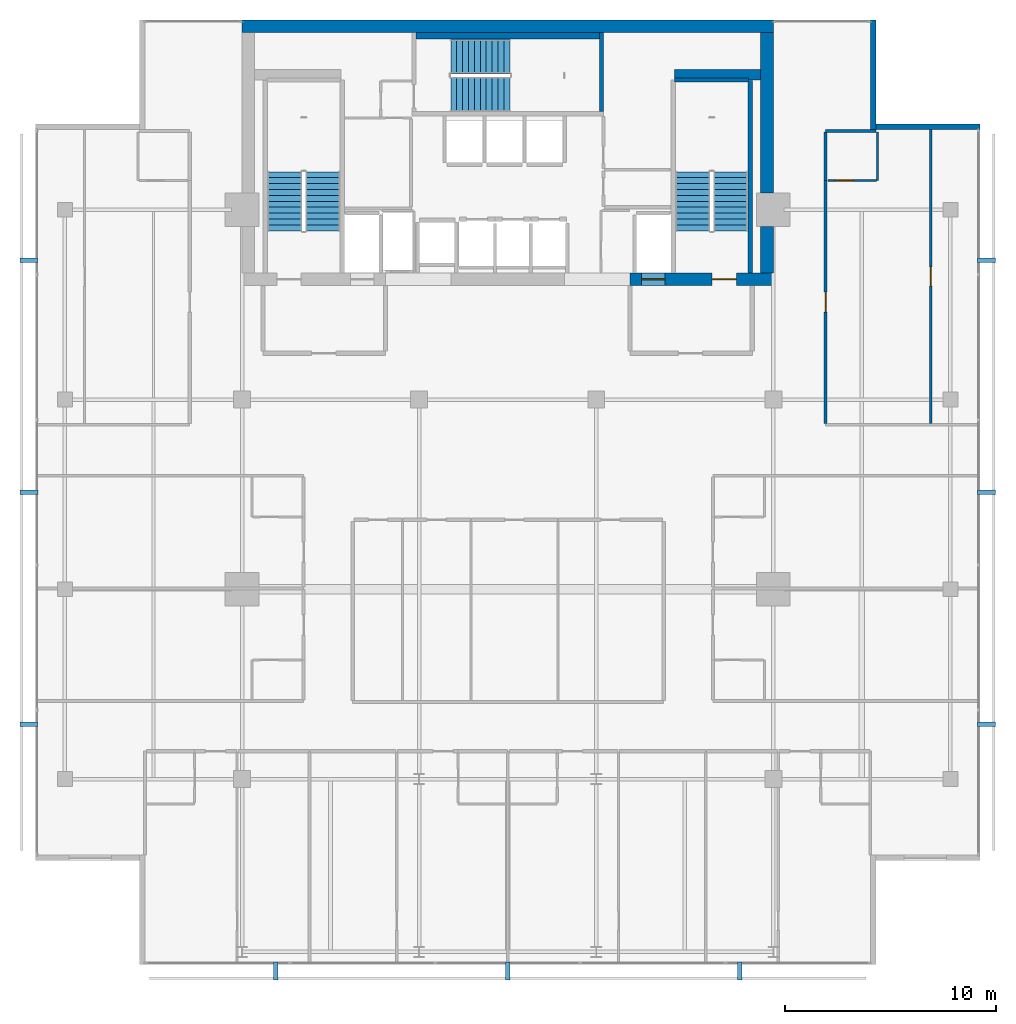
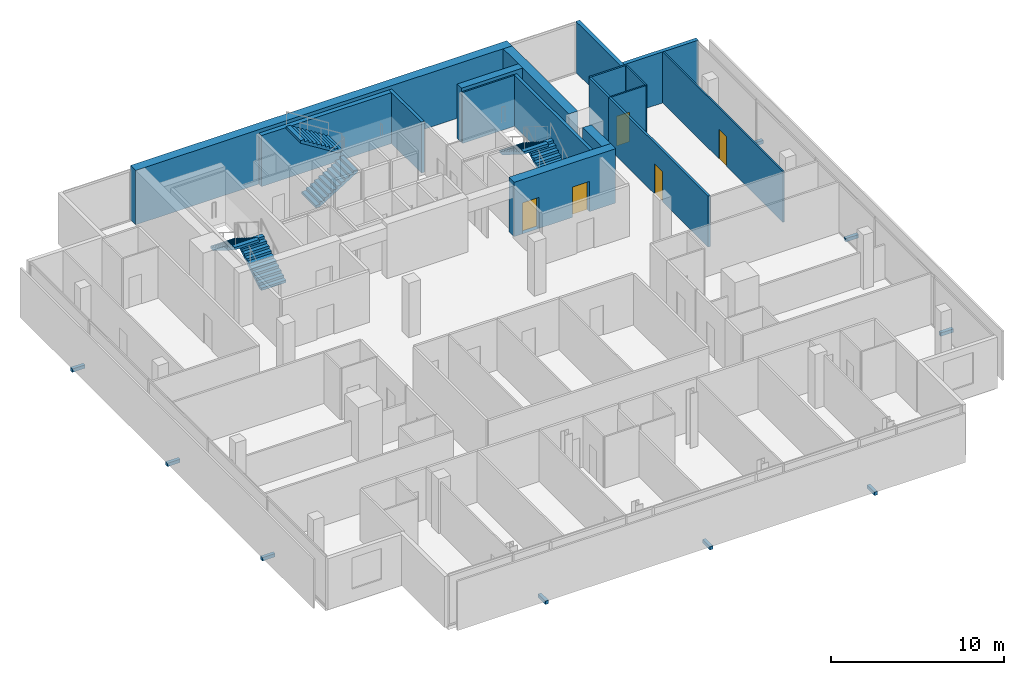
# One storey, part 23 of 25: 17 walls, 9 discrete accessories, 6 stair flights, 5 doors, 5 openings, 3 elements without a shape of their own.
"""IFC4 building model written with IfcOpenShell, lengths in metres."""

from ifc_helpers import new_model, si_unit, direction, frame, frame_2d, origin, origin_2d, place, context, subcontext, project, spatial, polyline, rectangle, outline, extrude, material, layer, layer_set, type_object, element, fill, aggregate, save


model = new_model("IFC4")

# Units and contexts
model_context = context("Model", 3, precision=1e-05, world=origin(), true_north=direction((0.0, 1.0)))
body_context = subcontext(model_context, "Body", "Model", "MODEL_VIEW")
ifc_project = project(units=[si_unit("LENGTHUNIT", "METRE"), si_unit("AREAUNIT", "SQUARE_METRE"), si_unit("VOLUMEUNIT", "CUBIC_METRE"), si_unit("PLANEANGLEUNIT", "RADIAN"), si_unit("MASSUNIT", "GRAM", prefix="KILO")], contexts=[model_context])

# Site, building, storey
site_placement = place(None, origin())
site = spatial("IfcSite", under=ifc_project, at=site_placement, CompositionType="ELEMENT")
building_placement = place(site_placement, origin())
building = spatial("IfcBuilding", under=site, at=building_placement, Name="Maruvema Waterfront Hotel and Observation Tower", CompositionType="ELEMENT")
storey_placement = place(building_placement, frame((0.0, 0.0, 308.699951171875)))
storey = spatial("IfcBuildingStorey", under=building, at=storey_placement, Name="L76", CompositionType="ELEMENT", Elevation=308.699951171875)

# Wall, opening, door
ifc_material_1 = material(Name="Twin-stud acoustic gypsum drywall", Category="gypsum")
ifc_layer_1 = layer(ifc_material_1, 0.14990234375, Name="Acoustic Corridor and Suite Demising Wall 150 mm")
ifc_layer_set_1 = layer_set([ifc_layer_1], Name="Twin-stud acoustic gypsum drywall")
wall_type_1 = type_object("IfcWallType", Name="Acoustic Corridor and Suite Demising Wall 150 mm", PredefinedType="PARTITIONING", material=ifc_layer_set_1)
wall_1_placement = place(storey_placement, frame((52.8798828125, 34.860107421875, 0.0), z_axis=(0.0, 0.0, 1.0), x_axis=(0.0, 1.0, 0.0)))
wall_1 = element("IfcWall", 1, at=wall_1_placement, inside=storey, type_object=wall_type_1, Name="L76 Room L76-NE1 Corridor Wall 091", PredefinedType="PARTITIONING", context=body_context, shape_type="SweptSolid", body=[
    extrude(rectangle(XDim=11.52734375, YDim=0.14990234375, at=frame_2d((5.763671875, 0.0))), origin(), (0.0, 0.0, 1.0), 3.610107421875),
])
opening_1_placement = place(wall_1_placement, frame((5.288818359375, 0.0, 0.0)))
opening_1 = element("IfcOpeningElement", 2, at=opening_1_placement, cuts=wall_1, Name="Opening DR-095", PredefinedType="OPENING", context=body_context, shape_type="SweptSolid", body=[
    extrude(rectangle(XDim=0.949951171875, YDim=2.14990234375, at=frame_2d((0.47509765625, 1.074951171875))), frame((0.0, 0.0849609375, 0.0), z_axis=(0.0, -1.0, 0.0), x_axis=(1.0, 0.0, 0.0)), (0.0, 0.0, 1.0), 0.169921875),
])
ifc_material_2 = material(Name="Acoustic solid-core hardwood timber leaf", Category="wood")
door_type_1 = type_object("IfcDoorType", Name="Guestroom Entrance Fire Door 950x2150 mm", OperationType="NOTDEFINED", PredefinedType="DOOR", material=ifc_material_2)
door_1_placement = place(opening_1_placement, frame((0.949951171875, 0.0, 0.0), z_axis=(0.0, 0.0, 1.0), x_axis=(-1.0, 0.0, 0.0)))
door_1 = element("IfcDoor", 3, at=door_1_placement, inside=storey, type_object=door_type_1, Name="L76 Room L76-NE1 Entrance Door", OperationType="SINGLE_SWING_RIGHT", OverallHeight=2.14990234375, OverallWidth=0.949951171875, PredefinedType="DOOR", context=body_context, shape_type="SweptSolid", body=[
    extrude(rectangle(XDim=0.949951171875, YDim=2.14990234375, at=frame_2d((0.47509765625, 1.074951171875))), frame((0.0, 0.02490234375, 0.0), z_axis=(0.0, -1.0, 0.0), x_axis=(1.0, 0.0, 0.0)), (0.0, 0.0, 1.0), 0.050048828125),
])
fill(opening_1, door_1)

# Walls
wall_2_placement = place(storey_placement, frame((52.8798828125, 46.387451171875, 0.0), z_axis=(0.0, 0.0, 1.0), x_axis=(0.0, 1.0, 0.0)))
element("IfcWall", 4, at=wall_2_placement, inside=storey, type_object=wall_type_1, Name="L76 Bath L76-NE1 Wall 092", PredefinedType="PARTITIONING", context=body_context, shape_type="SweptSolid", body=[
    extrude(rectangle(XDim=2.2900390625, YDim=0.14990234375, at=frame_2d((1.14501953125, 0.0))), origin(), (0.0, 0.0, 1.0), 3.610107421875),
])
ifc_material_3 = material(Name="Precast concrete C45/55", Category="concrete")
ifc_layer_2 = layer(ifc_material_3, 0.300048828125, Name="Core Shaft Furring Wall 300 mm")
ifc_layer_set_2 = layer_set([ifc_layer_2], Name="Precast concrete C45/55")
wall_type_2 = type_object("IfcWallType", Name="Core Shaft Furring Wall 300 mm", PredefinedType="SOLIDWALL", material=ifc_layer_set_2)
wall_3_placement = place(storey_placement, frame((33.449951171875, 53.25, 0.0), z_axis=(0.0, 0.0, 1.0), x_axis=(1.0, 0.0, 0.0)))
element("IfcWall", 5, at=wall_3_placement, inside=storey, type_object=wall_type_2, Name="L76 Stairwell ST-02 North Furring Wall", PredefinedType="SOLIDWALL", context=body_context, shape_type="SweptSolid", body=[
    extrude(rectangle(XDim=8.699951171875, YDim=0.300048828125, at=frame_2d((4.35009765625, 0.0))), origin(), (0.0, 0.0, 1.0), 3.610107421875),
])
ifc_material_4 = material(Name="Precast concrete C45/55", Category="concrete")
ifc_layer_3 = layer(ifc_material_4, 0.199951171875, Name="Core Shaft and Stairwell Enclosure Wall 200 mm")
ifc_layer_set_3 = layer_set([ifc_layer_3], Name="Precast concrete C45/55")
wall_type_3 = type_object("IfcWallType", Name="Core Shaft and Stairwell Enclosure Wall 200 mm", PredefinedType="SOLIDWALL", material=ifc_layer_set_3)
wall_4_placement = place(storey_placement, frame((42.25, 49.64990234375, 0.0), z_axis=(0.0, 0.0, 1.0), x_axis=(0.0, 1.0, 0.0)))
element("IfcWall", 6, at=wall_4_placement, inside=storey, type_object=wall_type_3, Name="L76 Stairwell ST-02 Shaft Wall", PredefinedType="SOLIDWALL", context=body_context, shape_type="SweptSolid", body=[
    extrude(rectangle(XDim=3.75, YDim=0.199951171875, at=frame_2d((1.875, 0.0))), origin(), (0.0, 0.0, 1.0), 3.610107421875),
])
wall_5_placement = place(storey_placement, frame((49.300048828125, 42.0, 0.0), z_axis=(0.0, 0.0, 1.0), x_axis=(0.0, 1.0, 0.0)))
element("IfcWall", 7, at=wall_5_placement, inside=storey, type_object=wall_type_3, Name="L76 Stairwell ST-03 Shaft Lining Wall", PredefinedType="SOLIDWALL", context=body_context, shape_type="SweptSolid", body=[
    extrude(rectangle(XDim=9.1201171875, YDim=0.199951171875, at=frame_2d((4.56005859375, 0.0))), origin(), (0.0, 0.0, 1.0), 3.610107421875),
])
wall_6_placement = place(storey_placement, frame((45.719970703125, 51.14990234375, 0.0), z_axis=(0.0, 0.0, 1.0), x_axis=(1.0, 0.0, 0.0)))
element("IfcWall", 8, at=wall_6_placement, inside=storey, type_object=wall_type_3, Name="L76 Stairwell ST-03 Shaft Lining Wall", PredefinedType="SOLIDWALL", context=body_context, shape_type="SweptSolid", body=[
    extrude(rectangle(XDim=3.5, YDim=0.199951171875, at=frame_2d((1.75, 0.0))), origin(), (0.0, 0.0, 1.0), 3.610107421875),
])
ifc_material_5 = material(Name="Concrete C70/85", Category="concrete")
ifc_layer_4 = layer(ifc_material_5, 0.5, Name="Core Shear Wall 500 mm")
ifc_layer_set_4 = layer_set([ifc_layer_4], Name="Concrete C70/85")
wall_type_4 = type_object("IfcWallType", Name="Core Shear Wall 500 mm", PredefinedType="SHEAR", material=ifc_layer_set_4)
wall_7_placement = place(storey_placement, frame((45.699951171875, 51.39990234375, 0.0), z_axis=(0.0, 0.0, 1.0), x_axis=(1.0, 0.0, 0.0)))
element("IfcWall", 9, at=wall_7_placement, inside=storey, type_object=wall_type_4, Name="L76 Internal Core Shear Wall NE 500 mm", PredefinedType="SHEAR", context=body_context, shape_type="SweptSolid", body=[
    extrude(rectangle(XDim=4.10009765625, YDim=0.5, at=frame_2d((2.050048828125, 0.0))), origin(), (0.0, 0.0, 1.0), 3.85009765625),
])
ifc_material_6 = material(Name="Concrete C60/75", Category="concrete")
ifc_layer_5 = layer(ifc_material_6, 0.60009765625, Name="Core Shear Wall 600 mm")
ifc_layer_set_5 = layer_set([ifc_layer_5], Name="Concrete C60/75")
wall_type_5 = type_object("IfcWallType", Name="Core Shear Wall 600 mm", PredefinedType="SHEAR", material=ifc_layer_set_5)
wall_8_placement = place(storey_placement, frame((25.199951171875, 53.699951171875, 0.0), z_axis=(0.0, 0.0, 1.0), x_axis=(1.0, 0.0, 0.0)))
element("IfcWall", 10, at=wall_8_placement, inside=storey, type_object=wall_type_5, Name="L76 North Core Shear Wall", PredefinedType="SHEAR", context=body_context, shape_type="SweptSolid", body=[
    extrude(rectangle(XDim=25.199951171875, YDim=0.60009765625, at=frame_2d((12.60009765625, 0.0))), origin(), (0.0, 0.0, 1.0), 3.85009765625),
])

# Wall, openings, doors
wall_9_placement = place(storey_placement, frame((43.60009765625, 41.699951171875, 0.0), z_axis=(0.0, 0.0, 1.0), x_axis=(1.0, 0.0, 0.0)))
wall_9 = element("IfcWall", 11, at=wall_9_placement, inside=storey, type_object=wall_type_5, Name="L76 South-East Core Shear Wall", PredefinedType="SHEAR", context=body_context, shape_type="SweptSolid", body=[
    extrude(rectangle(XDim=6.7998046875, YDim=0.60009765625, at=frame_2d((3.39990234375, 0.0))), origin(), (0.0, 0.0, 1.0), 3.85009765625),
])
opening_2_placement = place(wall_9_placement, frame((3.89990234375, 0.0, 0.0)))
opening_2 = element("IfcOpeningElement", 12, at=opening_2_placement, cuts=wall_9, Name="Opening SD-01", PredefinedType="OPENING", context=body_context, shape_type="SweptSolid", body=[
    extrude(rectangle(XDim=1.14990234375, YDim=2.14990234375, at=frame_2d((0.574951171875, 1.074951171875))), frame((0.0, 0.31005859375, 0.0), z_axis=(0.0, -1.0, 0.0), x_axis=(1.0, 0.0, 0.0)), (0.0, 0.0, 1.0), 0.6201171875),
])
opening_3_placement = place(wall_9_placement, frame((0.550048828125, 0.0, 0.0)))
opening_3 = element("IfcOpeningElement", 13, at=opening_3_placement, cuts=wall_9, Name="Opening LD-03", PredefinedType="OPENING", context=body_context, shape_type="SweptSolid", body=[
    extrude(rectangle(XDim=1.10009765625, YDim=2.199951171875, at=frame_2d((0.550048828125, 1.10009765625))), frame((0.0, 0.31005859375, 0.0), z_axis=(0.0, -1.0, 0.0), x_axis=(1.0, 0.0, 0.0)), (0.0, 0.0, 1.0), 0.6201171875),
])
ifc_material_7 = material(Name="Fire-rated galvanised steel leaf", Category="steel")
door_type_2 = type_object("IfcDoorType", Name="Exit Stair Fire Door 1150x2150 mm", OperationType="NOTDEFINED", PredefinedType="DOOR", material=ifc_material_7)
door_2_placement = place(opening_2_placement, origin())
door_2 = element("IfcDoor", 14, at=door_2_placement, inside=storey, type_object=door_type_2, Name="L76 Exit Stair ST-03 Fire Door", OperationType="SINGLE_SWING_RIGHT", OverallHeight=2.14990234375, OverallWidth=1.14990234375, PredefinedType="DOOR", context=body_context, shape_type="SweptSolid", body=[
    extrude(rectangle(XDim=1.14990234375, YDim=2.14990234375, at=frame_2d((0.574951171875, 1.074951171875))), frame((0.0, 0.02490234375, 0.0), z_axis=(0.0, -1.0, 0.0), x_axis=(1.0, 0.0, 0.0)), (0.0, 0.0, 1.0), 0.050048828125),
])
fill(opening_2, door_2)
ifc_material_8 = material(Name="Brushed stainless steel Grade 316", Category="steel")
door_type_3 = type_object("IfcDoorType", Name="Firefighting Lift Sliding Landing Door 1100x2200 mm", OperationType="SLIDING_TO_LEFT", PredefinedType="DOOR", material=ifc_material_8)
door_3_placement = place(opening_3_placement, frame((1.10009765625, 0.0, 0.0), z_axis=(0.0, 0.0, 1.0), x_axis=(-1.0, 0.0, 0.0)))
door_3 = element("IfcDoor", 15, at=door_3_placement, inside=storey, type_object=door_type_3, Name="L76 Firefighting Lift FL-02 Landing Door", OperationType="SLIDING_TO_LEFT", OverallHeight=2.199951171875, OverallWidth=1.10009765625, PredefinedType="DOOR", context=body_context, shape_type="SweptSolid", body=[
    extrude(rectangle(XDim=1.10009765625, YDim=2.199951171875, at=frame_2d((0.550048828125, 1.10009765625))), frame((0.0, 0.02490234375, 0.0), z_axis=(0.0, -1.0, 0.0), x_axis=(1.0, 0.0, 0.0)), (0.0, 0.0, 1.0), 0.050048828125),
])
fill(opening_3, door_3)

# Walls
wall_10_placement = place(storey_placement, frame((50.10009765625, 42.0, 0.0), z_axis=(0.0, 0.0, 1.0), x_axis=(0.0, 1.0, 0.0)))
element("IfcWall", 16, at=wall_10_placement, inside=storey, type_object=wall_type_5, Name="L76 East-South Core Shear Wall", PredefinedType="SHEAR", context=body_context, shape_type="SweptSolid", body=[
    extrude(rectangle(XDim=2.199951171875, YDim=0.60009765625, at=frame_2d((1.10009765625, 0.0))), origin(), (0.0, 0.0, 1.0), 3.85009765625),
])
wall_11_placement = place(storey_placement, frame((50.10009765625, 45.800048828125, 0.0), z_axis=(0.0, 0.0, 1.0), x_axis=(0.0, 1.0, 0.0)))
element("IfcWall", 17, at=wall_11_placement, inside=storey, type_object=wall_type_5, Name="L76 East-North Core Shear Wall", PredefinedType="SHEAR", context=body_context, shape_type="SweptSolid", body=[
    extrude(rectangle(XDim=7.599853515625, YDim=0.60009765625, at=frame_2d((3.7998046875, 0.0))), origin(), (0.0, 0.0, 1.0), 3.85009765625),
])
ifc_material_9 = material(Name="Moisture-resistant cement-board drywall", Category="gypsum")
ifc_layer_6 = layer(ifc_material_9, 0.10009765625, Name="En-Suite Moisture-Resistant Partition 100 mm")
ifc_layer_set_6 = layer_set([ifc_layer_6], Name="Moisture-resistant cement-board drywall")
wall_type_6 = type_object("IfcWallType", Name="En-Suite Moisture-Resistant Partition 100 mm", PredefinedType="PARTITIONING", material=ifc_layer_set_6)
wall_12_placement = place(storey_placement, frame((55.330078125, 46.387451171875, 0.0), z_axis=(0.0, 0.0, 1.0), x_axis=(0.0, 1.0, 0.0)))
element("IfcWall", 18, at=wall_12_placement, inside=storey, type_object=wall_type_6, Name="L76 En-Suite L76-NE1 E 093", PredefinedType="PARTITIONING", context=body_context, shape_type="SweptSolid", body=[
    extrude(rectangle(XDim=2.2900390625, YDim=0.10009765625, at=frame_2d((1.14501953125, 0.0))), origin(), (0.0, 0.0, 1.0), 3.610107421875),
])

# Wall, opening, door
wall_13_placement = place(storey_placement, frame((52.97998046875, 46.387451171875, 0.0), z_axis=(0.0, 0.0, 1.0), x_axis=(1.0, 0.0, 0.0)))
wall_13 = element("IfcWall", 19, at=wall_13_placement, inside=storey, type_object=wall_type_6, Name="L76 En-Suite L76-NE1 S 094", PredefinedType="PARTITIONING", context=body_context, shape_type="SweptSolid", body=[
    extrude(rectangle(XDim=2.300048828125, YDim=0.10009765625, at=frame_2d((1.14990234375, 0.0))), origin(), (0.0, 0.0, 1.0), 3.610107421875),
])
opening_4_placement = place(wall_13_placement, frame((0.35009765625, 0.0, 0.0)))
opening_4 = element("IfcOpeningElement", 20, at=opening_4_placement, cuts=wall_13, Name="Opening DR-085", PredefinedType="OPENING", context=body_context, shape_type="SweptSolid", body=[
    extrude(rectangle(XDim=0.85009765625, YDim=2.10009765625, at=frame_2d((0.425048828125, 1.050048828125))), frame((0.0, 0.06005859375, 0.0), z_axis=(0.0, -1.0, 0.0), x_axis=(1.0, 0.0, 0.0)), (0.0, 0.0, 1.0), 0.1201171875),
])
ifc_material_10 = material(Name="Moisture-resistant solid timber leaf", Category="wood")
door_type_4 = type_object("IfcDoorType", Name="En-Suite Bathroom Door 850x2100 mm", OperationType="NOTDEFINED", PredefinedType="DOOR", material=ifc_material_10)
door_4_placement = place(opening_4_placement, frame((0.85009765625, 0.0, 0.0), z_axis=(0.0, 0.0, 1.0), x_axis=(-1.0, 0.0, 0.0)))
door_4 = element("IfcDoor", 21, at=door_4_placement, inside=storey, type_object=door_type_4, Name="L76 En-Suite L76-NE1 Door", OperationType="SINGLE_SWING_LEFT", OverallHeight=2.10009765625, OverallWidth=0.85009765625, PredefinedType="DOOR", context=body_context, shape_type="SweptSolid", body=[
    extrude(rectangle(XDim=0.85009765625, YDim=2.10009765625, at=frame_2d((0.425048828125, 1.050048828125))), frame((0.0, 0.02490234375, 0.0), z_axis=(0.0, -1.0, 0.0), x_axis=(1.0, 0.0, 0.0)), (0.0, 0.0, 1.0), 0.050048828125),
])
fill(opening_4, door_4)

wall_14_placement = place(storey_placement, frame((57.8623046875, 34.860107421875, 0.0), z_axis=(0.0, 0.0, 1.0), x_axis=(0.0, 1.0, 0.0)))
wall_14 = element("IfcWall", 22, at=wall_14_placement, inside=storey, type_object=wall_type_6, Name="L76 Suite L76-NE1 Split 095", PredefinedType="PARTITIONING", context=body_context, shape_type="SweptSolid", body=[
    extrude(rectangle(XDim=13.9375, YDim=0.10009765625, at=frame_2d((6.96875, 0.0))), origin(), (0.0, 0.0, 1.0), 3.610107421875),
])
opening_5_placement = place(wall_14_placement, frame((6.518798828125, 0.0, 0.0)))
opening_5 = element("IfcOpeningElement", 23, at=opening_5_placement, cuts=wall_14, Name="Opening DR-090", PredefinedType="OPENING", context=body_context, shape_type="SweptSolid", body=[
    extrude(rectangle(XDim=0.89990234375, YDim=2.10009765625, at=frame_2d((0.449951171875, 1.050048828125))), frame((0.0, 0.06005859375, 0.0), z_axis=(0.0, -1.0, 0.0), x_axis=(1.0, 0.0, 0.0)), (0.0, 0.0, 1.0), 0.1201171875),
])
ifc_material_11 = material(Name="Solid-core lacquered timber leaf", Category="wood")
door_type_5 = type_object("IfcDoorType", Name="Accessible Toilet and Room Door 900x2100 mm", OperationType="NOTDEFINED", PredefinedType="DOOR", material=ifc_material_11)
door_5_placement = place(opening_5_placement, frame((0.89990234375, 0.0, 0.0), z_axis=(0.0, 0.0, 1.0), x_axis=(-1.0, 0.0, 0.0)))
door_5 = element("IfcDoor", 24, at=door_5_placement, inside=storey, type_object=door_type_5, Name="L76 Suite L76-NE1 Bedroom Door", OperationType="SINGLE_SWING_LEFT", OverallHeight=2.10009765625, OverallWidth=0.89990234375, PredefinedType="DOOR", context=body_context, shape_type="SweptSolid", body=[
    extrude(rectangle(XDim=0.89990234375, YDim=2.10009765625, at=frame_2d((0.449951171875, 1.050048828125))), frame((0.0, 0.02490234375, 0.0), z_axis=(0.0, -1.0, 0.0), x_axis=(1.0, 0.0, 0.0)), (0.0, 0.0, 1.0), 0.050048828125),
])
fill(opening_5, door_5)

# Walls
ifc_material_12 = material(Name="Precast concrete C45/55 with honed Pernambuco granite facing", Category="masonry")
ifc_layer_7 = layer(ifc_material_12, 0.260009765625, Name="Exterior Granite Clad Spandrel and Pier Wall 260 mm")
ifc_layer_set_7 = layer_set([ifc_layer_7], Name="Precast concrete C45/55 with honed Pernambuco granite facing")
wall_type_7 = type_object("IfcWallType", Name="Exterior Granite Clad Spandrel and Pier Wall 260 mm", PredefinedType="SOLIDWALL", material=ifc_layer_set_7)
for number, where, z_axis, x_axis, name in (
    (25, (55.1298828125, 54.0, 0.0), (0.0, 0.0, 1.0), (0.0, -1.0, 0.0), "L76 Corner Notch Granite Pier Wall NE1"),
    (26, (55.0, 48.929931640625, 0.0), (0.0, 0.0, 1.0), (1.0, 0.0, 0.0), "L76 Corner Notch Granite Pier Wall NE2"),
):
    element("IfcWall", number, at=place(storey_placement, frame(where, z_axis=z_axis, x_axis=x_axis)), inside=storey, type_object=wall_type_7, Name=name, PredefinedType="SOLIDWALL", context=body_context, shape_type="SweptSolid", body=[
        extrude(rectangle(XDim=5.199951171875, YDim=0.260009765625, at=frame_2d((2.60009765625, 0.0))), origin(), (0.0, 0.0, 1.0), 3.610107421875),
    ])
ifc_material_13 = material(Name="Acoustic gypsum plasterboard drywall", Category="gypsum")
ifc_layer_8 = layer(ifc_material_13, 0.125, Name="Guestroom Acoustic Demising Wall 125 mm")
ifc_layer_set_8 = layer_set([ifc_layer_8], Name="Acoustic gypsum plasterboard drywall")
wall_type_8 = type_object("IfcWallType", Name="Guestroom Acoustic Demising Wall 125 mm", PredefinedType="PARTITIONING", material=ifc_layer_set_8)
wall_15_placement = place(storey_placement, frame((52.8798828125, 48.737548828125, 0.0), z_axis=(0.0, 0.0, 1.0), x_axis=(1.0, 0.0, 0.0)))
element("IfcWall", 27, at=wall_15_placement, inside=storey, type_object=wall_type_8, Name="L76 Z3 NE Top End 085", PredefinedType="PARTITIONING", context=body_context, shape_type="SweptSolid", body=[
    extrude(rectangle(XDim=2.380126953125, YDim=0.125, at=frame_2d((1.18994140625, 0.0))), origin(), (0.0, 0.0, 1.0), 3.610107421875),
])

# Stair, stair flights
ifc_material_14 = material(Name="Concrete C50/60", Category="concrete")
stair_type = type_object("IfcStairType", Name="Dogleg Exit Stair 1650 mm (22R x 175.0 mm)", PredefinedType="HALF_TURN_STAIR", material=ifc_material_14)
stair_1_placement = place(storey_placement, origin())
stair_1 = element("IfcStair", 28, at=stair_1_placement, inside=storey, type_object=stair_type, Name="L76 ST-01", PredefinedType="HALF_TURN_STAIR")
ifc_material_15 = material(Name="Concrete C50/60", Category="concrete")
stair_flight_type = type_object("IfcStairFlightType", Name="Reinforced Concrete Stair Flight 1650 mm (11R x 175.0 mm)", PredefinedType="STRAIGHT", material=ifc_material_15)
stair_flight_1_placement = place(storey_placement, frame((29.02490234375, 44.0, 0.0), z_axis=(0.0, 0.0, 1.0), x_axis=(0.0, 1.0, 0.0)))
stair_flight_1 = element("IfcStairFlight", 29, at=stair_flight_1_placement, type_object=stair_flight_type, Name="ST-01 flight 1", NumberOfRisers=11, NumberOfTreads=10, PredefinedType="STRAIGHT", RiserHeight=0.175, TreadLength=0.28, context=body_context, shape_type="SweptSolid", body=[
    extrude(outline(polyline([(0.0, 0.0), (0.0, 0.175048828125), (0.280029296875, 0.175048828125), (0.280029296875, 0.35009765625), (0.56005859375, 0.35009765625), (0.56005859375, 0.52490234375), (0.840087890625, 0.52490234375), (0.840087890625, 0.699951171875), (1.1201171875, 0.699951171875), (1.1201171875, 0.875), (1.39990234375, 0.875), (1.39990234375, 1.050048828125), (1.679931640625, 1.050048828125), (1.679931640625, 1.22509765625), (1.9599609375, 1.22509765625), (1.9599609375, 1.39990234375), (2.239990234375, 1.39990234375), (2.239990234375, 1.574951171875), (2.52001953125, 1.574951171875), (2.52001953125, 1.75), (2.800048828125, 1.75), (2.800048828125, 1.925048828125), (2.800048828125, 1.5732421875), (0.28271484375, 0.0), (0.0, 0.0)])), frame((0.0, 0.824951171875, 0.0), z_axis=(0.0, -1.0, 0.0), x_axis=(1.0, 0.0, 0.0)), (0.0, 0.0, 1.0), 1.64990234375),
])
stair_flight_2_placement = place(storey_placement, frame((27.22509765625, 46.800048828125, 1.925048828125), z_axis=(0.0, 0.0, 1.0), x_axis=(0.0, -1.0, 0.0)))
stair_flight_2 = element("IfcStairFlight", 30, at=stair_flight_2_placement, type_object=stair_flight_type, Name="ST-01 flight 2", NumberOfRisers=11, NumberOfTreads=10, PredefinedType="STRAIGHT", RiserHeight=0.175, TreadLength=0.28, context=body_context, shape_type="SweptSolid", body=[
    extrude(outline(polyline([(0.0, 0.0), (0.0, 0.175048828125), (0.280029296875, 0.175048828125), (0.280029296875, 0.35009765625), (0.56005859375, 0.35009765625), (0.56005859375, 0.52490234375), (0.840087890625, 0.52490234375), (0.840087890625, 0.699951171875), (1.1201171875, 0.699951171875), (1.1201171875, 0.875), (1.39990234375, 0.875), (1.39990234375, 1.050048828125), (1.679931640625, 1.050048828125), (1.679931640625, 1.22509765625), (1.9599609375, 1.22509765625), (1.9599609375, 1.39990234375), (2.239990234375, 1.39990234375), (2.239990234375, 1.574951171875), (2.52001953125, 1.574951171875), (2.52001953125, 1.75), (2.800048828125, 1.75), (2.800048828125, 1.925048828125), (2.800048828125, 1.5732421875), (0.28271484375, 0.0), (0.0, 0.0)])), frame((0.0, 0.824951171875, 0.0), z_axis=(0.0, -1.0, 0.0), x_axis=(1.0, 0.0, 0.0)), (0.0, 0.0, 1.0), 1.64990234375),
])
aggregate(stair_1, [stair_flight_1, stair_flight_2])

stair_2_placement = place(storey_placement, origin())
stair_2 = element("IfcStair", 31, at=stair_2_placement, inside=storey, type_object=stair_type, Name="L76 ST-02", PredefinedType="HALF_TURN_STAIR")
stair_flight_3_placement = place(storey_placement, frame((35.10009765625, 50.47509765625, 0.0), z_axis=(0.0, 0.0, 1.0), x_axis=(1.0, 0.0, 0.0)))
stair_flight_3 = element("IfcStairFlight", 32, at=stair_flight_3_placement, type_object=stair_flight_type, Name="ST-02 flight 1", NumberOfRisers=11, NumberOfTreads=10, PredefinedType="STRAIGHT", RiserHeight=0.175, TreadLength=0.28, context=body_context, shape_type="SweptSolid", body=[
    extrude(outline(polyline([(0.0, 0.0), (0.0, 0.175048828125), (0.280029296875, 0.175048828125), (0.280029296875, 0.35009765625), (0.56005859375, 0.35009765625), (0.56005859375, 0.52490234375), (0.840087890625, 0.52490234375), (0.840087890625, 0.699951171875), (1.1201171875, 0.699951171875), (1.1201171875, 0.875), (1.39990234375, 0.875), (1.39990234375, 1.050048828125), (1.679931640625, 1.050048828125), (1.679931640625, 1.22509765625), (1.9599609375, 1.22509765625), (1.9599609375, 1.39990234375), (2.239990234375, 1.39990234375), (2.239990234375, 1.574951171875), (2.52001953125, 1.574951171875), (2.52001953125, 1.75), (2.800048828125, 1.75), (2.800048828125, 1.925048828125), (2.800048828125, 1.5732421875), (0.28271484375, 0.0), (0.0, 0.0)])), frame((0.0, 0.824951171875, 0.0), z_axis=(0.0, -1.0, 0.0), x_axis=(1.0, 0.0, 0.0)), (0.0, 0.0, 1.0), 1.64990234375),
])
stair_flight_4_placement = place(storey_placement, frame((37.89990234375, 52.27490234375, 1.925048828125), z_axis=(0.0, 0.0, 1.0), x_axis=(-1.0, 0.0, 0.0)))
stair_flight_4 = element("IfcStairFlight", 33, at=stair_flight_4_placement, type_object=stair_flight_type, Name="ST-02 flight 2", NumberOfRisers=11, NumberOfTreads=10, PredefinedType="STRAIGHT", RiserHeight=0.175, TreadLength=0.28, context=body_context, shape_type="SweptSolid", body=[
    extrude(outline(polyline([(0.0, 0.0), (0.0, 0.175048828125), (0.280029296875, 0.175048828125), (0.280029296875, 0.35009765625), (0.56005859375, 0.35009765625), (0.56005859375, 0.52490234375), (0.840087890625, 0.52490234375), (0.840087890625, 0.699951171875), (1.1201171875, 0.699951171875), (1.1201171875, 0.875), (1.39990234375, 0.875), (1.39990234375, 1.050048828125), (1.679931640625, 1.050048828125), (1.679931640625, 1.22509765625), (1.9599609375, 1.22509765625), (1.9599609375, 1.39990234375), (2.239990234375, 1.39990234375), (2.239990234375, 1.574951171875), (2.52001953125, 1.574951171875), (2.52001953125, 1.75), (2.800048828125, 1.75), (2.800048828125, 1.925048828125), (2.800048828125, 1.5732421875), (0.28271484375, 0.0), (0.0, 0.0)])), frame((0.0, 0.824951171875, 0.0), z_axis=(0.0, -1.0, 0.0), x_axis=(1.0, 0.0, 0.0)), (0.0, 0.0, 1.0), 1.64990234375),
])
aggregate(stair_2, [stair_flight_3, stair_flight_4])

stair_3_placement = place(storey_placement, origin())
stair_3 = element("IfcStair", 34, at=stair_3_placement, inside=storey, type_object=stair_type, Name="L76 ST-03", PredefinedType="HALF_TURN_STAIR")
stair_flight_5_placement = place(storey_placement, frame((48.375, 44.0, 0.0), z_axis=(0.0, 0.0, 1.0), x_axis=(0.0, 1.0, 0.0)))
stair_flight_5 = element("IfcStairFlight", 35, at=stair_flight_5_placement, type_object=stair_flight_type, Name="ST-03 flight 1", NumberOfRisers=11, NumberOfTreads=10, PredefinedType="STRAIGHT", RiserHeight=0.175, TreadLength=0.28, context=body_context, shape_type="SweptSolid", body=[
    extrude(outline(polyline([(0.0, 0.0), (0.0, 0.175048828125), (0.280029296875, 0.175048828125), (0.280029296875, 0.35009765625), (0.56005859375, 0.35009765625), (0.56005859375, 0.52490234375), (0.840087890625, 0.52490234375), (0.840087890625, 0.699951171875), (1.1201171875, 0.699951171875), (1.1201171875, 0.875), (1.39990234375, 0.875), (1.39990234375, 1.050048828125), (1.679931640625, 1.050048828125), (1.679931640625, 1.22509765625), (1.9599609375, 1.22509765625), (1.9599609375, 1.39990234375), (2.239990234375, 1.39990234375), (2.239990234375, 1.574951171875), (2.52001953125, 1.574951171875), (2.52001953125, 1.75), (2.800048828125, 1.75), (2.800048828125, 1.925048828125), (2.800048828125, 1.5732421875), (0.28271484375, 0.0), (0.0, 0.0)])), frame((0.0, 0.824951171875, 0.0), z_axis=(0.0, -1.0, 0.0), x_axis=(1.0, 0.0, 0.0)), (0.0, 0.0, 1.0), 1.64990234375),
])
stair_flight_6_placement = place(storey_placement, frame((46.574951171875, 46.800048828125, 1.925048828125), z_axis=(0.0, 0.0, 1.0), x_axis=(0.0, -1.0, 0.0)))
stair_flight_6 = element("IfcStairFlight", 36, at=stair_flight_6_placement, type_object=stair_flight_type, Name="ST-03 flight 2", NumberOfRisers=11, NumberOfTreads=10, PredefinedType="STRAIGHT", RiserHeight=0.175, TreadLength=0.28, context=body_context, shape_type="SweptSolid", body=[
    extrude(outline(polyline([(0.0, 0.0), (0.0, 0.175048828125), (0.280029296875, 0.175048828125), (0.280029296875, 0.35009765625), (0.56005859375, 0.35009765625), (0.56005859375, 0.52490234375), (0.840087890625, 0.52490234375), (0.840087890625, 0.699951171875), (1.1201171875, 0.699951171875), (1.1201171875, 0.875), (1.39990234375, 0.875), (1.39990234375, 1.050048828125), (1.679931640625, 1.050048828125), (1.679931640625, 1.22509765625), (1.9599609375, 1.22509765625), (1.9599609375, 1.39990234375), (2.239990234375, 1.39990234375), (2.239990234375, 1.574951171875), (2.52001953125, 1.574951171875), (2.52001953125, 1.75), (2.800048828125, 1.75), (2.800048828125, 1.925048828125), (2.800048828125, 1.5732421875), (0.28271484375, 0.0), (0.0, 0.0)])), frame((0.0, 0.824951171875, 0.0), z_axis=(0.0, -1.0, 0.0), x_axis=(1.0, 0.0, 0.0)), (0.0, 0.0, 1.0), 1.64990234375),
])
aggregate(stair_3, [stair_flight_5, stair_flight_6])

# Discrete accessories
ifc_material_16 = material(Name="Duplex stainless steel Grade 2205", Category="steel")
discrete_accessory_type = type_object("IfcDiscreteAccessoryType", Name="Double-Skin Cavity Stainless Outrigger Bracket", PredefinedType="BRACKET", material=ifc_material_16)
for number, where, z_axis, x_axis, name in (
    (37, (26.7919921875, 8.89990234375, -0.14013671875), (0.0, 0.0, 1.0), (1.0, 0.0, 0.0), "L76 Outer Skin Support Bracket 1"),
    (38, (37.800048828125, 8.89990234375, -0.14013671875), (0.0, 0.0, 1.0), (1.0, 0.0, 0.0), "L76 Outer Skin Support Bracket 2"),
    (39, (48.80810546875, 8.89990234375, -0.14013671875), (0.0, 0.0, 1.0), (1.0, 0.0, 0.0), "L76 Outer Skin Support Bracket 3"),
    (40, (60.5, 20.592041015625, -0.14013671875), (0.0, 0.0, 1.0), (0.0, 1.0, 0.0), "L76 Outer Skin Support Bracket 1"),
    (41, (60.5, 31.60009765625, -0.14013671875), (0.0, 0.0, 1.0), (0.0, 1.0, 0.0), "L76 Outer Skin Support Bracket 2"),
    (42, (60.5, 42.60791015625, -0.14013671875), (0.0, 0.0, 1.0), (0.0, 1.0, 0.0), "L76 Outer Skin Support Bracket 3"),
    (43, (15.10009765625, 42.60791015625, -0.14013671875), (0.0, 0.0, 1.0), (0.0, -1.0, 0.0), "L76 Outer Skin Support Bracket 1"),
    (44, (15.10009765625, 31.60009765625, -0.14013671875), (0.0, 0.0, 1.0), (0.0, -1.0, 0.0), "L76 Outer Skin Support Bracket 2"),
    (45, (15.10009765625, 20.592041015625, -0.14013671875), (0.0, 0.0, 1.0), (0.0, -1.0, 0.0), "L76 Outer Skin Support Bracket 3"),
):
    element("IfcDiscreteAccessory", number, at=place(storey_placement, frame(where, z_axis=z_axis, x_axis=x_axis)), inside=storey, type_object=discrete_accessory_type, Name=name, PredefinedType="BRACKET", context=body_context, shape_type="SweptSolid", body=[
        extrude(rectangle(XDim=0.219970703125, YDim=0.860107421875, at=origin_2d()), origin(), (0.0, 0.0, 1.0), 0.239990234375),
    ])

save(model, "model.ifc")
